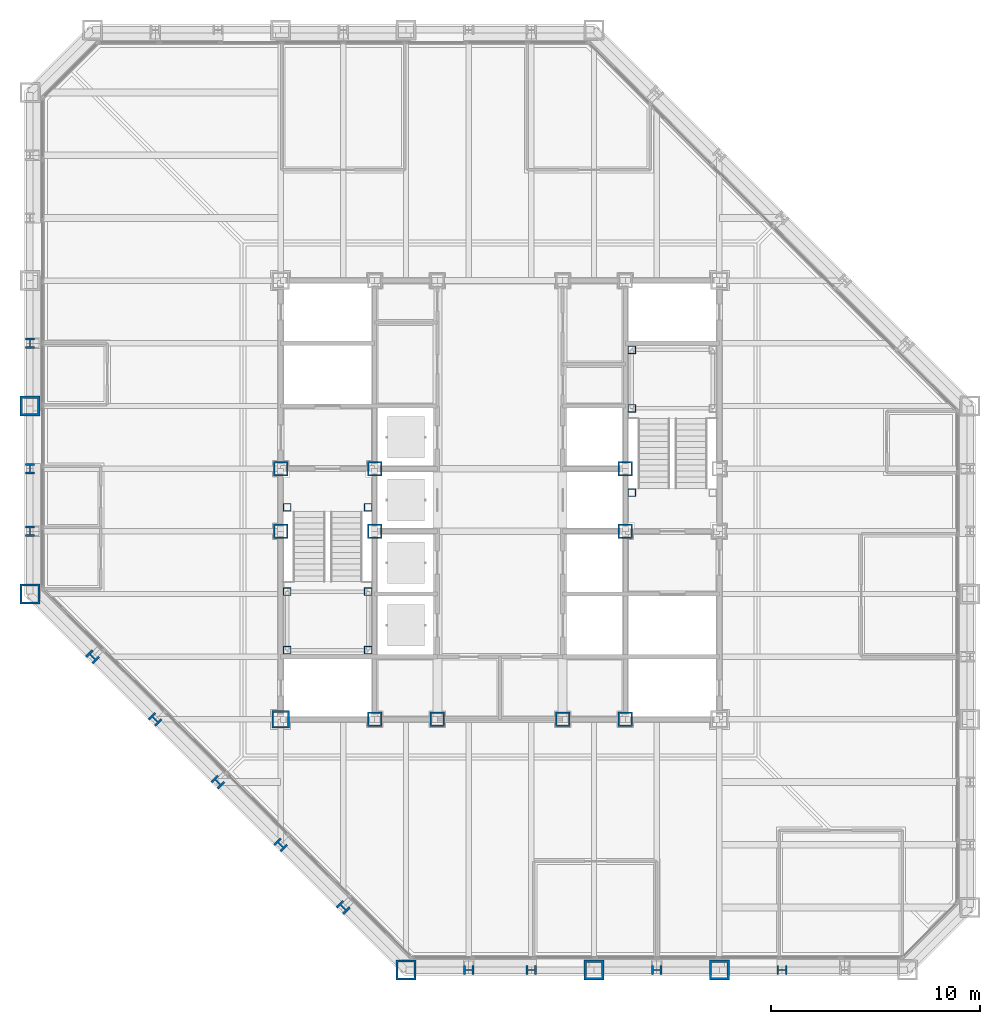
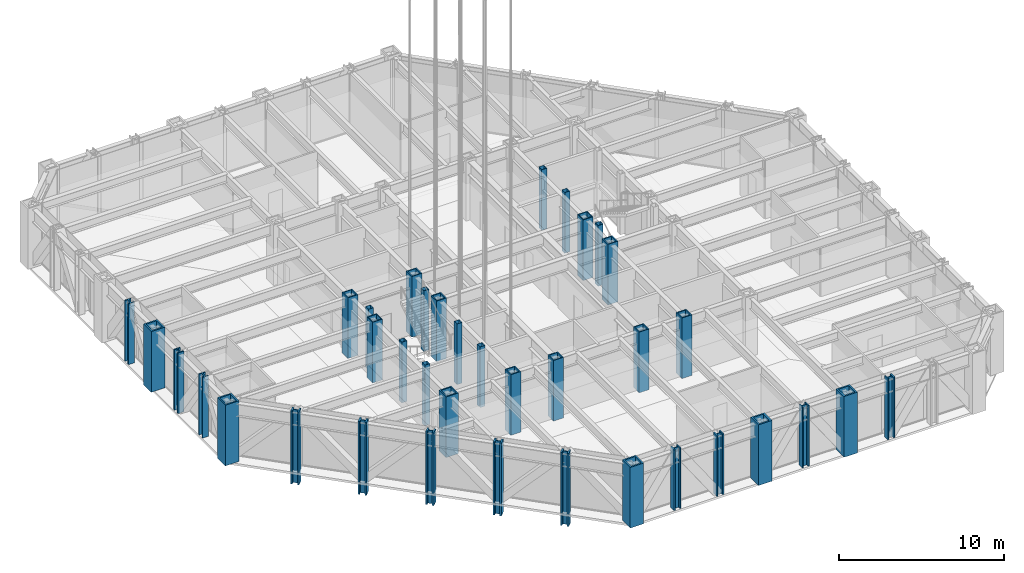
# One storey, part 1 of 26: 37 columns.
"""IFC4 building model written with IfcOpenShell, lengths in metres."""

from ifc_helpers import new_model, si_unit, direction, frame, origin, origin_2d, place, context, subcontext, project, spatial, hollow_rectangle, i_section, extrude, material, material_profile, profile_set, type_object, element, save


model = new_model("IFC4")

# Units and contexts
model_context = context("Model", 3, precision=1e-05, world=origin(), true_north=direction((0.0, 1.0)))
body_context = subcontext(model_context, "Body", "Model", "MODEL_VIEW")
ifc_project = project(units=[si_unit("LENGTHUNIT", "METRE"), si_unit("AREAUNIT", "SQUARE_METRE"), si_unit("VOLUMEUNIT", "CUBIC_METRE"), si_unit("PLANEANGLEUNIT", "RADIAN"), si_unit("MASSUNIT", "GRAM", prefix="KILO")], contexts=[model_context])

# Site, building, storey
site_placement = place(None, origin())
site = spatial("IfcSite", under=ifc_project, at=site_placement, CompositionType="ELEMENT")
building_placement = place(site_placement, origin())
building = spatial("IfcBuilding", under=site, at=building_placement, Name="Chuquiago Exchange Tower", CompositionType="ELEMENT")
storey_placement = place(building_placement, frame((0.0, 0.0, 102.300048828125)))
storey = spatial("IfcBuildingStorey", under=building, at=storey_placement, Name="L21", CompositionType="ELEMENT", Elevation=102.300048828125)

# Columns
ifc_material_1 = material(Name="Steel ASTM A992", Category="steel")
ifc_material_profile_1 = material_profile(ifc_material_1, i_section(OverallWidth=0.431884765625, OverallDepth=0.497802734375, WebThickness=0.0556640625, FlangeThickness=0.0888671875, at=origin_2d()), Name="W14X500")
ifc_profile_set_1 = profile_set([ifc_material_profile_1], Name="Steel ASTM A992")
column_type_1 = type_object("IfcColumnType", Name="C3 W14X500", PredefinedType="COLUMN", material=ifc_profile_set_1)
for number, where, z_axis, x_axis, name in (
    (1, (21.0, 0.0, 0.0), (0.0, 0.0, 1.0), (0.0, -1.0, 0.0), "COL-L21-21_0"),
    (2, (24.0, 0.0, 0.0), (0.0, 0.0, 1.0), (0.0, -1.0, 0.0), "COL-L21-24_0"),
    (3, (30.0, 0.0, 0.0), (0.0, 0.0, 1.0), (0.0, -1.0, 0.0), "COL-L21-30_0"),
    (4, (36.0, 0.0, 0.0), (0.0, 0.0, 1.0), (0.0, -1.0, 0.0), "COL-L21-36_0"),
    (5, (0.0, 30.0, 0.0), (0.0, 0.0, 1.0), (-1.0, 0.0, 0.0), "COL-L21-0_30"),
    (6, (0.0, 24.0, 0.0), (0.0, 0.0, 1.0), (-1.0, 0.0, 0.0), "COL-L21-0_24"),
    (7, (0.0, 21.0, 0.0), (0.0, 0.0, 1.0), (-1.0, 0.0, 0.0), "COL-L21-0_21"),
):
    element("IfcColumn", number, at=place(storey_placement, frame(where, z_axis=z_axis, x_axis=x_axis)), inside=storey, type_object=column_type_1, Name=name, PredefinedType="COLUMN", context=body_context, shape_type="SweptSolid", body=[
        extrude(i_section(OverallWidth=0.431884765625, OverallDepth=0.497802734375, WebThickness=0.0556640625, FlangeThickness=0.0888671875, at=origin_2d()), origin(), (0.0, 0.0, 1.0), 4.5),
    ])
ifc_material_2 = material(Name="Steel ASTM A572 Grade 50", Category="steel")
ifc_material_profile_2 = material_profile(ifc_material_2, hollow_rectangle(XDim=0.699951171875, YDim=0.699951171875, WallThickness=0.070068359375, at=origin_2d()), Name="BOX700X700X70")
ifc_profile_set_2 = profile_set([ifc_material_profile_2], Name="Steel ASTM A572 Grade 50")
column_type_2 = type_object("IfcColumnType", Name="CC3 BOX700X700X70", PredefinedType="COLUMN", material=ifc_profile_set_2)
for number, where, z_axis, x_axis, name in (
    (8, (16.5, 12.0, 0.0), (0.0, 0.0, 1.0), (1.0, 0.0, 0.0), "CCOL-L21-16.5_12"),
    (9, (19.5, 12.0, 0.0), (0.0, 0.0, 1.0), (1.0, 0.0, 0.0), "CCOL-L21-19.5_12"),
    (10, (25.5, 12.0, 0.0), (0.0, 0.0, 1.0), (1.0, 0.0, 0.0), "CCOL-L21-25.5_12"),
    (11, (28.5, 12.0, 0.0), (0.0, 0.0, 1.0), (1.0, 0.0, 0.0), "CCOL-L21-28.5_12"),
    (12, (12.0, 21.0, 0.0), (0.0, 0.0, 1.0), (1.0, 0.0, 0.0), "CCOL-L21-12_21"),
    (13, (12.0, 24.0, 0.0), (0.0, 0.0, 1.0), (1.0, 0.0, 0.0), "CCOL-L21-12_24"),
    (14, (16.5, 21.0, 0.0), (0.0, 0.0, 1.0), (1.0, 0.0, 0.0), "CCOL-L21-16.5_21"),
    (15, (16.5, 24.0, 0.0), (0.0, 0.0, 1.0), (1.0, 0.0, 0.0), "CCOL-L21-16.5_24"),
    (16, (28.5, 21.0, 0.0), (0.0, 0.0, 1.0), (1.0, 0.0, 0.0), "CCOL-L21-28.5_21"),
    (17, (28.5, 24.0, 0.0), (0.0, 0.0, 1.0), (1.0, 0.0, 0.0), "CCOL-L21-28.5_24"),
):
    element("IfcColumn", number, at=place(storey_placement, frame(where, z_axis=z_axis, x_axis=x_axis)), inside=storey, type_object=column_type_2, Name=name, PredefinedType="COLUMN", context=body_context, shape_type="SweptSolid", body=[
        extrude(hollow_rectangle(XDim=0.699951171875, YDim=0.699951171875, WallThickness=0.070068359375, at=origin_2d()), origin(), (0.0, 0.0, 1.0), 4.5),
    ])
ifc_material_3 = material(Name="Steel ASTM A572 Grade 50", Category="steel")
ifc_material_profile_3 = material_profile(ifc_material_3, hollow_rectangle(XDim=0.85009765625, YDim=0.85009765625, WallThickness=0.0849609375, at=origin_2d()), Name="BOX850X850X85")
ifc_profile_set_3 = profile_set([ifc_material_profile_3], Name="Steel ASTM A572 Grade 50")
column_type_3 = type_object("IfcColumnType", Name="CC6 BOX850X850X85", PredefinedType="COLUMN", material=ifc_profile_set_3)
column_placement = place(storey_placement, frame((12.0, 12.0, 0.0), z_axis=(0.0, 0.0, 1.0), x_axis=(1.0, 0.0, 0.0)))
element("IfcColumn", 18, at=column_placement, inside=storey, type_object=column_type_3, Name="CCOL-L21-12_12", PredefinedType="COLUMN", context=body_context, shape_type="SweptSolid", body=[
    extrude(hollow_rectangle(XDim=0.85009765625, YDim=0.85009765625, WallThickness=0.0849609375, at=origin_2d()), origin(), (0.0, 0.0, 1.0), 4.5),
])
ifc_material_4 = material(Name="Steel ASTM A992", Category="steel")
ifc_material_profile_4 = material_profile(ifc_material_4, i_section(OverallWidth=0.44189453125, OverallDepth=0.53076171875, WebThickness=0.06591796875, FlangeThickness=0.105712890625, at=origin_2d()), Name="W14X605")
ifc_profile_set_4 = profile_set([ifc_material_profile_4], Name="Steel ASTM A992")
column_type_4 = type_object("IfcColumnType", Name="CK3 W14X605", PredefinedType="COLUMN", material=ifc_profile_set_4)
for number, where, z_axis, x_axis, name in (
    (19, (3.0, 15.0, -0.91015625), (0.0, 0.0, 1.0), (-0.707106781187, -0.707106781187, 0.0), "COL-L21-3_15"),
    (20, (6.0, 12.0, -0.91015625), (0.0, 0.0, 1.0), (-0.707106781187, -0.707106781187, 0.0), "COL-L21-6_12"),
    (21, (9.0, 9.0, -0.91015625), (0.0, 0.0, 1.0), (-0.707106781187, -0.707106781187, 0.0), "COL-L21-9_9"),
    (22, (12.0, 6.0, -0.91015625), (0.0, 0.0, 1.0), (-0.707106781187, -0.707106781187, 0.0), "COL-L21-12_6"),
    (23, (15.0, 3.0, -0.91015625), (0.0, 0.0, 1.0), (-0.707106781187, -0.707106781187, 0.0), "COL-L21-15_3"),
):
    element("IfcColumn", number, at=place(storey_placement, frame(where, z_axis=z_axis, x_axis=x_axis)), inside=storey, type_object=column_type_4, Name=name, PredefinedType="COLUMN", context=body_context, shape_type="SweptSolid", body=[
        extrude(i_section(OverallWidth=0.44189453125, OverallDepth=0.53076171875, WebThickness=0.06591796875, FlangeThickness=0.105712890625, at=origin_2d()), origin(), (0.0, 0.0, 1.0), 5.41015625),
    ])
ifc_material_5 = material(Name="Steel ASTM A572 Grade 50", Category="steel")
ifc_material_profile_5 = material_profile(ifc_material_5, hollow_rectangle(XDim=0.949951171875, YDim=0.949951171875, WallThickness=0.094970703125, at=origin_2d()), Name="BOX950X950X95")
ifc_profile_set_5 = profile_set([ifc_material_profile_5], Name="Steel ASTM A572 Grade 50")
column_type_5 = type_object("IfcColumnType", Name="CN1 BOX950X950X95", PredefinedType="COLUMN", material=ifc_profile_set_5)
for number, where, z_axis, x_axis, name in (
    (24, (18.0, 0.0, 0.0), (0.0, 0.0, 1.0), (0.0, -1.0, 0.0), "COL-L21-18_0"),
    (25, (0.0, 18.0, 0.0), (0.0, 0.0, 1.0), (-1.0, 0.0, 0.0), "COL-L21-0_18"),
):
    element("IfcColumn", number, at=place(storey_placement, frame(where, z_axis=z_axis, x_axis=x_axis)), inside=storey, type_object=column_type_5, Name=name, PredefinedType="COLUMN", context=body_context, shape_type="SweptSolid", body=[
        extrude(hollow_rectangle(XDim=0.949951171875, YDim=0.949951171875, WallThickness=0.094970703125, at=origin_2d()), origin(), (0.0, 0.0, 1.0), 4.5),
    ])
ifc_material_6 = material(Name="Steel ASTM A572 Grade 42", Category="steel")
ifc_material_profile_6 = material_profile(ifc_material_6, hollow_rectangle(XDim=0.949951171875, YDim=0.949951171875, WallThickness=0.110107421875, at=origin_2d()), Name="BOX950X950X110")
ifc_profile_set_6 = profile_set([ifc_material_profile_6], Name="Steel ASTM A572 Grade 42")
column_type_6 = type_object("IfcColumnType", Name="CT1 BOX950X950X110", PredefinedType="COLUMN", material=ifc_profile_set_6)
for number, where, z_axis, x_axis, name in (
    (26, (27.0, 0.0, 0.0), (0.0, 0.0, 1.0), (0.0, -1.0, 0.0), "COL-L21-27_0"),
    (27, (33.0, 0.0, 0.0), (0.0, 0.0, 1.0), (0.0, -1.0, 0.0), "COL-L21-33_0"),
    (28, (0.0, 27.0, 0.0), (0.0, 0.0, 1.0), (-1.0, 0.0, 0.0), "COL-L21-0_27"),
):
    element("IfcColumn", number, at=place(storey_placement, frame(where, z_axis=z_axis, x_axis=x_axis)), inside=storey, type_object=column_type_6, Name=name, PredefinedType="COLUMN", context=body_context, shape_type="SweptSolid", body=[
        extrude(hollow_rectangle(XDim=0.949951171875, YDim=0.949951171875, WallThickness=0.110107421875, at=origin_2d()), origin(), (0.0, 0.0, 1.0), 4.5),
    ])
ifc_material_7 = material(Name="Steel ASTM A500 Grade C", Category="steel")
ifc_material_profile_7 = material_profile(ifc_material_7, hollow_rectangle(XDim=0.355712890625, YDim=0.355712890625, WallThickness=0.0146484375, at=origin_2d()), Name="HSS14X14X5/8")
ifc_profile_set_7 = profile_set([ifc_material_profile_7], Name="Steel ASTM A500 Grade C")
column_type_7 = type_object("IfcColumnType", Name="PT2 HSS14X14X5/8", PredefinedType="COLUMN", material=ifc_profile_set_7)
for number, where, z_axis, x_axis, name in (
    (29, (12.31005859375, 15.31005859375, 0.0), (0.0, 0.0, 1.0), (1.0, 0.0, 0.0), "Stair ST1 L21 landing post"),
    (30, (16.18994140625, 15.31005859375, 0.0), (0.0, 0.0, 1.0), (1.0, 0.0, 0.0), "Stair ST1 L21 landing post"),
    (31, (12.31005859375, 18.110107421875, 0.0), (0.0, 0.0, 1.0), (1.0, 0.0, 0.0), "Stair ST1 L21 landing post"),
    (32, (16.18994140625, 18.110107421875, 0.0), (0.0, 0.0, 1.0), (1.0, 0.0, 0.0), "Stair ST1 L21 landing post"),
    (33, (12.31005859375, 22.14990234375, 0.0), (0.0, 0.0, 1.0), (1.0, 0.0, 0.0), "Stair ST1 L21 landing post"),
    (34, (16.18994140625, 22.14990234375, 0.0), (0.0, 0.0, 1.0), (1.0, 0.0, 0.0), "Stair ST1 L21 landing post"),
    (35, (28.81005859375, 29.68994140625, 0.0), (0.0, 0.0, 1.0), (1.0, 0.0, 0.0), "Stair ST2 L21 landing post"),
    (36, (28.81005859375, 26.889892578125, 0.0), (0.0, 0.0, 1.0), (1.0, 0.0, 0.0), "Stair ST2 L21 landing post"),
    (37, (28.81005859375, 22.85009765625, 0.0), (0.0, 0.0, 1.0), (1.0, 0.0, 0.0), "Stair ST2 L21 landing post"),
):
    element("IfcColumn", number, at=place(storey_placement, frame(where, z_axis=z_axis, x_axis=x_axis)), inside=storey, type_object=column_type_7, Name=name, PredefinedType="COLUMN", context=body_context, shape_type="SweptSolid", body=[
        extrude(hollow_rectangle(XDim=0.355712890625, YDim=0.355712890625, WallThickness=0.0146484375, at=origin_2d()), origin(), (0.0, 0.0, 1.0), 4.5),
    ])

save(model, "model.ifc")
